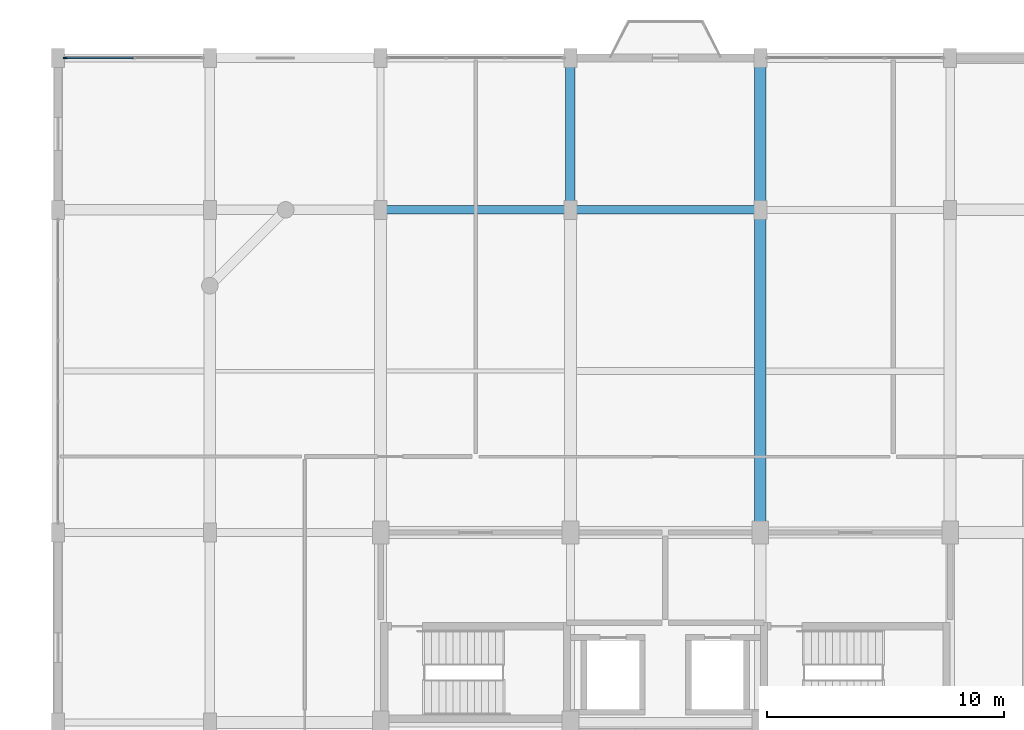
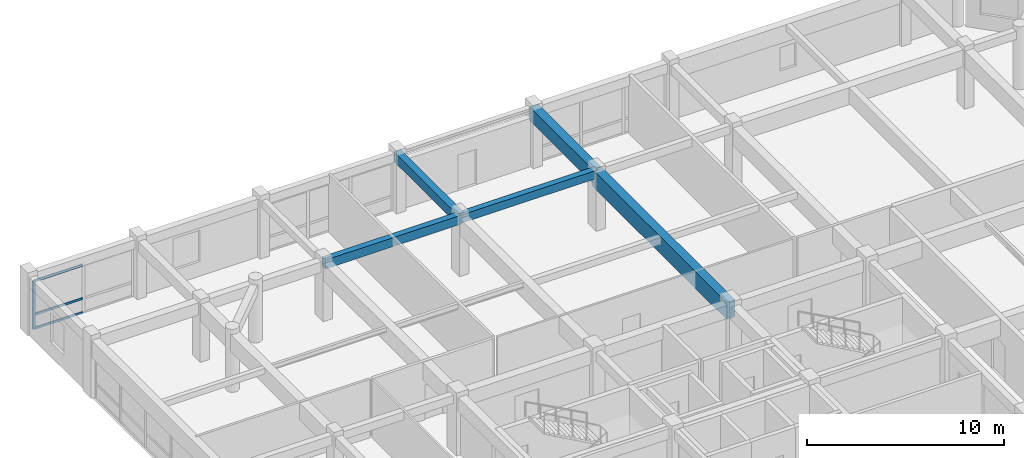
# One storey, part 7 of 15: 5 beams, 4 members, 1 element without a shape of its own.
"""IFC4 building model written with IfcOpenShell, lengths in metres."""

from ifc_helpers import new_model, si_unit, direction, frame, origin, origin_2d, place, context, subcontext, project, spatial, rectangle, extrude, material, material_profile, profile_set, type_object, element, aggregate, save


model = new_model("IFC4")

# Units and contexts
model_context = context("Model", 3, precision=1e-05, world=origin(), true_north=direction((0.0, 1.0)))
body_context = subcontext(model_context, "Body", "Model", "MODEL_VIEW")
ifc_project = project(units=[si_unit("LENGTHUNIT", "METRE"), si_unit("AREAUNIT", "SQUARE_METRE"), si_unit("VOLUMEUNIT", "CUBIC_METRE"), si_unit("PLANEANGLEUNIT", "RADIAN"), si_unit("MASSUNIT", "GRAM", prefix="KILO")], contexts=[model_context])

# Site, building, storey
site_placement = place(None, origin())
site = spatial("IfcSite", under=ifc_project, at=site_placement, CompositionType="ELEMENT")
building_placement = place(site_placement, origin())
building = spatial("IfcBuilding", under=site, at=building_placement, Name="Vellmiral Cinema and Media Centre", CompositionType="ELEMENT")
storey_placement = place(building_placement, frame((0.0, 0.0, 35.60009765625)))
storey = spatial("IfcBuildingStorey", under=building, at=storey_placement, Name="L08", CompositionType="ELEMENT", Elevation=35.60009765625)

# Beams
ifc_material_1 = material(Name="Concrete C40/50", Category="concrete")
ifc_material_profile_1 = material_profile(ifc_material_1, rectangle(XDim=0.35009765625, YDim=0.5, at=origin_2d()), Name="RC 350x500")
ifc_profile_set_1 = profile_set([ifc_material_profile_1], Name="Concrete C40/50")
beam_type_1 = type_object("IfcBeamType", Name="BM-RC-350x500", PredefinedType="BEAM", material=ifc_profile_set_1)
beam_1_placement = place(storey_placement, frame((132.0, 108.800048828125, 3.344970703125), z_axis=(1.0, 0.0, 0.0), x_axis=(0.0, 1.0, 0.0)))
element("IfcBeam", 1, at=beam_1_placement, inside=storey, type_object=beam_type_1, Name="Grid Beam L08-X039", PredefinedType="BEAM", context=body_context, shape_type="SweptSolid", body=[
    extrude(rectangle(XDim=0.35009765625, YDim=0.5, at=origin_2d()), origin(), (0.0, 0.0, 1.0), 8.0),
])
ifc_material_2 = material(Name="Concrete C40/50", Category="concrete")
ifc_material_profile_2 = material_profile(ifc_material_2, rectangle(XDim=0.35009765625, YDim=0.550048828125, at=origin_2d()), Name="RC 350x550")
ifc_profile_set_2 = profile_set([ifc_material_profile_2], Name="Concrete C40/50")
beam_type_2 = type_object("IfcBeamType", Name="BM-RC-350x550", PredefinedType="BEAM", material=ifc_profile_set_2)
beam_2_placement = place(storey_placement, frame((124.0, 108.800048828125, 3.31982421875), z_axis=(1.0, 0.0, 0.0), x_axis=(0.0, 1.0, 0.0)))
element("IfcBeam", 2, at=beam_2_placement, inside=storey, type_object=beam_type_2, Name="Grid Beam L08-X038", PredefinedType="BEAM", context=body_context, shape_type="SweptSolid", body=[
    extrude(rectangle(XDim=0.35009765625, YDim=0.550048828125, at=origin_2d()), origin(), (0.0, 0.0, 1.0), 8.0),
])
ifc_material_3 = material(Name="Concrete C40/50", Category="concrete")
ifc_material_profile_3 = material_profile(ifc_material_3, rectangle(XDim=0.39990234375, YDim=0.60009765625, at=origin_2d()), Name="RC 400x600")
ifc_profile_set_3 = profile_set([ifc_material_profile_3], Name="Concrete C40/50")
beam_type_3 = type_object("IfcBeamType", Name="BM-RC-400x600", PredefinedType="BEAM", material=ifc_profile_set_3)
beam_3_placement = place(storey_placement, frame((132.0, 108.800048828125, 3.294921875), z_axis=(0.0, 1.0, 0.0), x_axis=(-1.0, 0.0, 0.0)))
element("IfcBeam", 3, at=beam_3_placement, inside=storey, type_object=beam_type_3, Name="Grid Beam L08-Y072", PredefinedType="BEAM", context=body_context, shape_type="SweptSolid", body=[
    extrude(rectangle(XDim=0.39990234375, YDim=0.60009765625, at=origin_2d()), origin(), (0.0, 0.0, 1.0), 6.39990234375),
])
ifc_material_4 = material(Name="Concrete C40/50", Category="concrete")
ifc_material_profile_4 = material_profile(ifc_material_4, rectangle(XDim=0.5, YDim=0.85009765625, at=origin_2d()), Name="RC 500x850")
ifc_profile_set_4 = profile_set([ifc_material_profile_4], Name="Concrete C40/50")
beam_type_4 = type_object("IfcBeamType", Name="BM-RC-500x850", PredefinedType="BEAM", material=ifc_profile_set_4)
beam_4_placement = place(storey_placement, frame((140.0, 108.800048828125, 3.169921875), z_axis=(0.0, 1.0, 0.0), x_axis=(-1.0, 0.0, 0.0)))
element("IfcBeam", 4, at=beam_4_placement, inside=storey, type_object=beam_type_4, Name="Grid Beam L08-Y078", PredefinedType="BEAM", context=body_context, shape_type="SweptSolid", body=[
    extrude(rectangle(XDim=0.5, YDim=0.85009765625, at=origin_2d()), origin(), (0.0, 0.0, 1.0), 6.39990234375),
])
ifc_material_5 = material(Name="Concrete C40/50", Category="concrete")
ifc_material_profile_5 = material_profile(ifc_material_5, rectangle(XDim=0.5, YDim=1.050048828125, at=origin_2d()), Name="RC 500x1050")
ifc_profile_set_5 = profile_set([ifc_material_profile_5], Name="Concrete C40/50")
beam_type_5 = type_object("IfcBeamType", Name="BM-RCG-500x1050", PredefinedType="BEAM", material=ifc_profile_set_5)
beam_5_placement = place(storey_placement, frame((140.0, 95.199951171875, 3.06982421875), z_axis=(0.0, 1.0, 0.0), x_axis=(-1.0, 0.0, 0.0)))
element("IfcBeam", 5, at=beam_5_placement, inside=storey, type_object=beam_type_5, Name="Grid Beam L08-Y077", PredefinedType="BEAM", context=body_context, shape_type="SweptSolid", body=[
    extrude(rectangle(XDim=0.5, YDim=1.050048828125, at=origin_2d()), origin(), (0.0, 0.0, 1.0), 13.60009765625),
])

# Curtain wall, members
ifc_material_6 = material(Name="Thermally Broken Aluminium and Triple Glazing", Category="aluminium")
curtain_wall_type = type_object("IfcCurtainWallType", Name="CW-TOWER-LOW-S", PredefinedType="USERDEFINED", material=ifc_material_6)
curtain_wall_placement = place(storey_placement, origin())
curtain_wall = element("IfcCurtainWall", 6, at=curtain_wall_placement, inside=storey, type_object=curtain_wall_type, Name="Curtain Wall L08-B023", ObjectType="UNITISED CURTAIN WALL", PredefinedType="USERDEFINED")
ifc_material_7 = material(Name="Thermally Broken Anodised Aluminium", Category="aluminium")
ifc_material_profile_6 = material_profile(ifc_material_7, rectangle(XDim=0.06494140625, YDim=0.159912109375, at=origin_2d()), Name="MULL 65x160")
ifc_profile_set_6 = profile_set([ifc_material_profile_6], Name="Thermally Broken Anodised Aluminium")
member_type_1 = type_object("IfcMemberType", Name="CWM-65x160", PredefinedType="MULLION", material=ifc_profile_set_6)
member_1_placement = place(storey_placement, frame((110.70751953125, 115.199951171875, 0.0), z_axis=(0.0, 0.0, 1.0), x_axis=(0.0, -1.0, 0.0)))
member_1 = element("IfcMember", 7, at=member_1_placement, type_object=member_type_1, Name="CW-06 mullion 3", PredefinedType="MULLION", context=body_context, shape_type="SweptSolid", body=[
    extrude(rectangle(XDim=0.06494140625, YDim=0.159912109375, at=origin_2d()), origin(), (0.0, 0.0, 1.0), 3.0),
])
ifc_material_8 = material(Name="Thermally Broken Anodised Aluminium", Category="aluminium")
ifc_material_profile_7 = material_profile(ifc_material_8, rectangle(XDim=0.06494140625, YDim=0.135009765625, at=origin_2d()), Name="MULL 65x135")
ifc_profile_set_7 = profile_set([ifc_material_profile_7], Name="Thermally Broken Anodised Aluminium")
member_type_2 = type_object("IfcMemberType", Name="CWT-65x135", PredefinedType="USERDEFINED", material=ifc_profile_set_7)
member_2_placement = place(storey_placement, frame((113.5673828125, 115.199951171875, 0.032470703125), z_axis=(-1.0, 0.0, 0.0), x_axis=(0.0, -1.0, 0.0)))
member_2 = element("IfcMember", 8, at=member_2_placement, type_object=member_type_2, Name="CW-06 transom 2.1", ObjectType="TRANSOM", PredefinedType="USERDEFINED", context=body_context, shape_type="SweptSolid", body=[
    extrude(rectangle(XDim=0.06494140625, YDim=0.135009765625, at=origin_2d()), origin(), (0.0, 0.0, 1.0), 2.827392578125),
])
member_3_placement = place(storey_placement, frame((113.5673828125, 115.199951171875, 0.89990234375), z_axis=(-1.0, 0.0, 0.0), x_axis=(0.0, -1.0, 0.0)))
member_3 = element("IfcMember", 9, at=member_3_placement, type_object=member_type_2, Name="CW-06 transom 2.2", ObjectType="TRANSOM", PredefinedType="USERDEFINED", context=body_context, shape_type="SweptSolid", body=[
    extrude(rectangle(XDim=0.06494140625, YDim=0.135009765625, at=origin_2d()), origin(), (0.0, 0.0, 1.0), 2.827392578125),
])
member_4_placement = place(storey_placement, frame((113.5673828125, 115.199951171875, 2.96728515625), z_axis=(-1.0, 0.0, 0.0), x_axis=(0.0, -1.0, 0.0)))
member_4 = element("IfcMember", 10, at=member_4_placement, type_object=member_type_2, Name="CW-06 transom 2.3", ObjectType="TRANSOM", PredefinedType="USERDEFINED", context=body_context, shape_type="SweptSolid", body=[
    extrude(rectangle(XDim=0.06494140625, YDim=0.135009765625, at=origin_2d()), origin(), (0.0, 0.0, 1.0), 2.827392578125),
])
aggregate(curtain_wall, [member_1, member_2, member_3, member_4])

save(model, "model.ifc")
